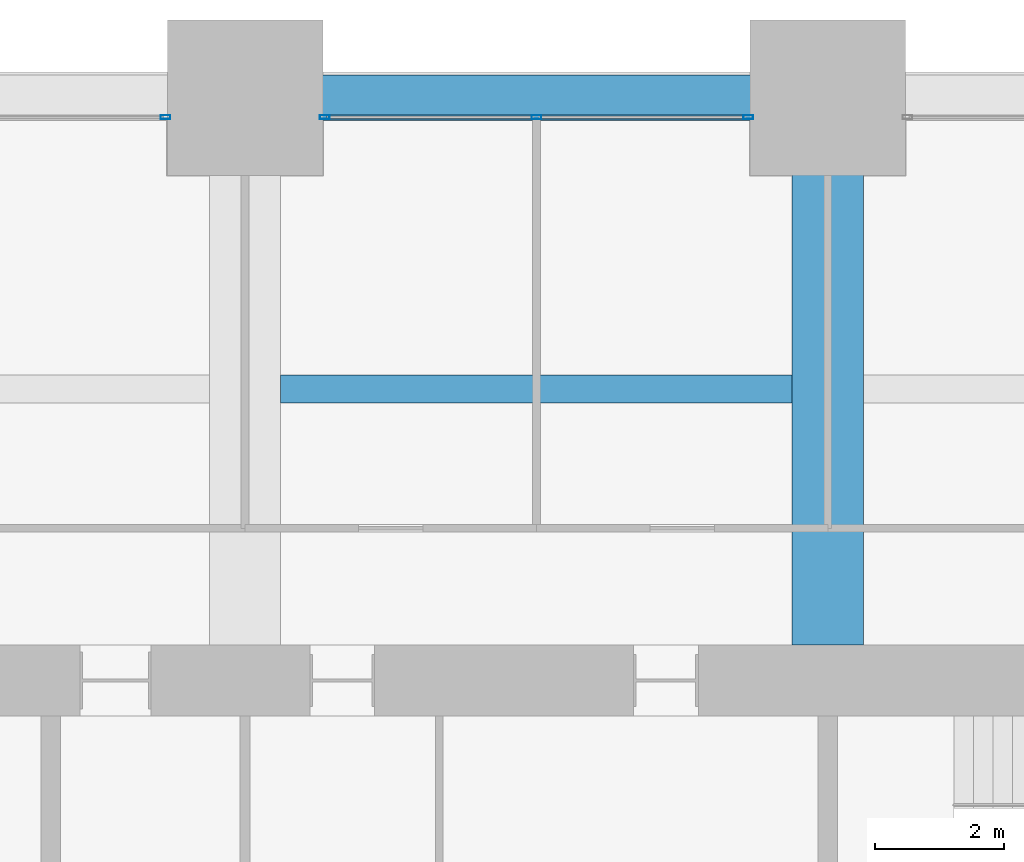
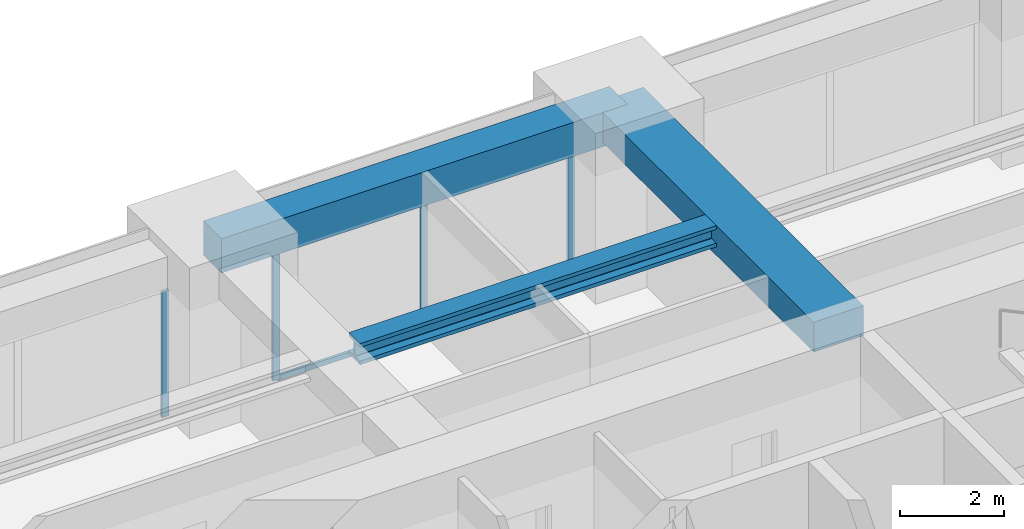
# One storey, part 29 of 41: 5 members, 3 beams, 2 elements without a shape of their own.
"""IFC4 building model written with IfcOpenShell, lengths in metres."""

from ifc_helpers import new_model, si_unit, direction, frame, origin, origin_2d, place, context, subcontext, project, spatial, rectangle, hollow_rectangle, i_section, extrude, material, material_profile, profile_set, type_object, element, aggregate, save


model = new_model("IFC4")

# Units and contexts
model_context = context("Model", 3, precision=1e-05, world=origin(), true_north=direction((0.0, 1.0)))
body_context = subcontext(model_context, "Body", "Model", "MODEL_VIEW")
ifc_project = project(units=[si_unit("LENGTHUNIT", "METRE"), si_unit("AREAUNIT", "SQUARE_METRE"), si_unit("VOLUMEUNIT", "CUBIC_METRE"), si_unit("PLANEANGLEUNIT", "RADIAN"), si_unit("MASSUNIT", "GRAM", prefix="KILO")], contexts=[model_context])

# Site, building, storey
site_placement = place(None, origin())
site = spatial("IfcSite", under=ifc_project, at=site_placement, CompositionType="ELEMENT")
building_placement = place(site_placement, origin())
building = spatial("IfcBuilding", under=site, at=building_placement, Name="Zorevar Civic Tower", CompositionType="ELEMENT")
storey_placement = place(building_placement, frame((0.0, 0.0, 137.0)))
storey = spatial("IfcBuildingStorey", under=building, at=storey_placement, Name="L33", CompositionType="ELEMENT", Elevation=137.0)

# Beam
ifc_material_1 = material(Name="Concrete C50/60", Category="concrete")
ifc_material_profile_1 = material_profile(ifc_material_1, rectangle(XDim=1.10009765625, YDim=0.699951171875, at=origin_2d()), Name="RC 1100x700")
ifc_profile_set_1 = profile_set([ifc_material_profile_1], Name="Concrete C50/60")
beam_type_1 = type_object("IfcBeamType", Name="Beam RC 1100x700", PredefinedType="BEAM", material=ifc_profile_set_1)
beam_1_placement = place(storey_placement, frame((36.0, 36.550048828125, 3.39990234375), z_axis=(0.0, 1.0, 0.0), x_axis=(-1.0, 0.0, 0.0)))
element("IfcBeam", 1, at=beam_1_placement, inside=storey, type_object=beam_type_1, Name="Girder L34", PredefinedType="BEAM", context=body_context, shape_type="SweptSolid", body=[
    extrude(rectangle(XDim=1.10009765625, YDim=0.699951171875, at=origin_2d()), origin(), (0.0, 0.0, 1.0), 8.449951171875),
])

# Curtain wall, member
ifc_material_2 = material(Name="Dark grey solar-control glass in black aluminium frame", Category="aluminium")
curtain_wall_type = type_object("IfcCurtainWallType", Name="Curtain wall CW3 mid zone", PredefinedType="NOTDEFINED", material=ifc_material_2)
curtain_wall_1_placement = place(storey_placement, origin())
curtain_wall_1 = element("IfcCurtainWall", 2, at=curtain_wall_1_placement, inside=storey, type_object=curtain_wall_type, Name="CW3 L33", PredefinedType="NOTDEFINED")
ifc_material_3 = material(Name="Aluminium, black anodised", Category="aluminium")
ifc_material_profile_2 = material_profile(ifc_material_3, hollow_rectangle(XDim=0.06005859375, YDim=0.14990234375, WallThickness=0.00390625, at=origin_2d()), Name="AL 150x60x4")
ifc_profile_set_2 = profile_set([ifc_material_profile_2], Name="Aluminium, black anodised")
member_type_1 = type_object("IfcMemberType", Name="CW3 mullion AL 150x60x4", PredefinedType="MULLION", material=ifc_profile_set_2)
member_1_placement = place(storey_placement, frame((25.77001953125, 44.699951171875, 0.0), z_axis=(0.0, 0.0, 1.0), x_axis=(0.0, 1.0, 0.0)))
member_1 = element("IfcMember", 3, at=member_1_placement, type_object=member_type_1, Name="CW3 mullion 3", PredefinedType="MULLION", context=body_context, shape_type="SweptSolid", body=[
    extrude(hollow_rectangle(XDim=0.06005859375, YDim=0.14990234375, WallThickness=0.00390625, at=origin_2d()), origin(), (0.0, 0.0, 1.0), 2.949951171875),
])
aggregate(curtain_wall_1, [member_1])

# Curtain wall, members
curtain_wall_2_placement = place(storey_placement, origin())
curtain_wall_2 = element("IfcCurtainWall", 4, at=curtain_wall_2_placement, inside=storey, type_object=curtain_wall_type, Name="CW3 L33", PredefinedType="NOTDEFINED")
member_2_placement = place(storey_placement, frame((28.22998046875, 44.699951171875, 0.0), z_axis=(0.0, 0.0, 1.0), x_axis=(0.0, 1.0, 0.0)))
member_2 = element("IfcMember", 5, at=member_2_placement, type_object=member_type_1, Name="CW3 mullion 1", PredefinedType="MULLION", context=body_context, shape_type="SweptSolid", body=[
    extrude(hollow_rectangle(XDim=0.06005859375, YDim=0.14990234375, WallThickness=0.00390625, at=origin_2d()), origin(), (0.0, 0.0, 1.0), 2.949951171875),
])
member_3_placement = place(storey_placement, frame((31.5, 44.699951171875, 0.06005859375), z_axis=(0.0, 0.0, 1.0), x_axis=(0.0, 1.0, 0.0)))
member_3 = element("IfcMember", 6, at=member_3_placement, type_object=member_type_1, Name="CW3 mullion 2", PredefinedType="MULLION", context=body_context, shape_type="SweptSolid", body=[
    extrude(hollow_rectangle(XDim=0.06005859375, YDim=0.14990234375, WallThickness=0.00390625, at=origin_2d()), origin(), (0.0, 0.0, 1.0), 2.889892578125),
])
member_4_placement = place(storey_placement, frame((34.77001953125, 44.699951171875, 0.0), z_axis=(0.0, 0.0, 1.0), x_axis=(0.0, 1.0, 0.0)))
member_4 = element("IfcMember", 7, at=member_4_placement, type_object=member_type_1, Name="CW3 mullion 3", PredefinedType="MULLION", context=body_context, shape_type="SweptSolid", body=[
    extrude(hollow_rectangle(XDim=0.06005859375, YDim=0.14990234375, WallThickness=0.00390625, at=origin_2d()), origin(), (0.0, 0.0, 1.0), 2.949951171875),
])
ifc_material_4 = material(Name="Aluminium, black anodised", Category="aluminium")
ifc_material_profile_3 = material_profile(ifc_material_4, hollow_rectangle(XDim=0.06005859375, YDim=0.1201171875, WallThickness=0.0029296875, at=origin_2d()), Name="AL 120x60x3")
ifc_profile_set_3 = profile_set([ifc_material_profile_3], Name="Aluminium, black anodised")
member_type_2 = type_object("IfcMemberType", Name="CW3 transom AL 120x60x3", PredefinedType="USERDEFINED", material=ifc_profile_set_3)
member_5_placement = place(storey_placement, frame((28.260009765625, 44.699951171875, 0.030029296875), z_axis=(1.0, 0.0, 0.0), x_axis=(0.0, 1.0, 0.0)))
member_5 = element("IfcMember", 8, at=member_5_placement, type_object=member_type_2, Name="CW3 sill transom", ObjectType="TRANSOM", PredefinedType="USERDEFINED", context=body_context, shape_type="SweptSolid", body=[
    extrude(hollow_rectangle(XDim=0.06005859375, YDim=0.1201171875, WallThickness=0.0029296875, at=origin_2d()), origin(), (0.0, 0.0, 1.0), 6.47998046875),
])
aggregate(curtain_wall_2, [member_2, member_3, member_4, member_5])

# Beams
ifc_material_5 = material(Name="Steel S460M (HISTAR 460)", Category="steel")
ifc_material_profile_4 = material_profile(ifc_material_5, i_section(OverallWidth=0.431884765625, OverallDepth=0.498046875, WebThickness=0.0556640625, FlangeThickness=0.0888671875, FilletRadius=0.014892578125, at=origin_2d()), Name="HD 400x744")
ifc_profile_set_4 = profile_set([ifc_material_profile_4], Name="Steel S460M (HISTAR 460)")
beam_type_2 = type_object("IfcBeamType", Name="Core bay beam HD 400x744", PredefinedType="BEAM", material=ifc_profile_set_4)
beam_2_placement = place(storey_placement, frame((27.550048828125, 40.5, 3.5009765625), z_axis=(1.0, 0.0, 0.0), x_axis=(0.0, 1.0, 0.0)))
element("IfcBeam", 9, at=beam_2_placement, inside=storey, type_object=beam_type_2, Name="Secondary beam L34", PredefinedType="BEAM", context=body_context, shape_type="SweptSolid", body=[
    extrude(i_section(OverallWidth=0.431884765625, OverallDepth=0.498046875, WebThickness=0.0556640625, FlangeThickness=0.0888671875, FilletRadius=0.014892578125, at=origin_2d()), origin(), (0.0, 0.0, 1.0), 7.89990234375),
])
ifc_material_6 = material(Name="Concrete C50/60", Category="concrete")
ifc_material_profile_5 = material_profile(ifc_material_6, rectangle(XDim=0.699951171875, YDim=0.800048828125, at=origin_2d()), Name="RC 700x800")
ifc_profile_set_5 = profile_set([ifc_material_profile_5], Name="Concrete C50/60")
beam_type_3 = type_object("IfcBeamType", Name="Edge beam RC 700x800", PredefinedType="SPANDREL", material=ifc_profile_set_5)
beam_3_placement = place(storey_placement, frame((27.0, 45.0, 3.35009765625), z_axis=(1.0, 0.0, 0.0), x_axis=(0.0, 1.0, 0.0)))
element("IfcBeam", 10, at=beam_3_placement, inside=storey, type_object=beam_type_3, Name="Edge beam L34", PredefinedType="SPANDREL", context=body_context, shape_type="SweptSolid", body=[
    extrude(rectangle(XDim=0.699951171875, YDim=0.800048828125, at=origin_2d()), origin(), (0.0, 0.0, 1.0), 9.0),
])

save(model, "model.ifc")
